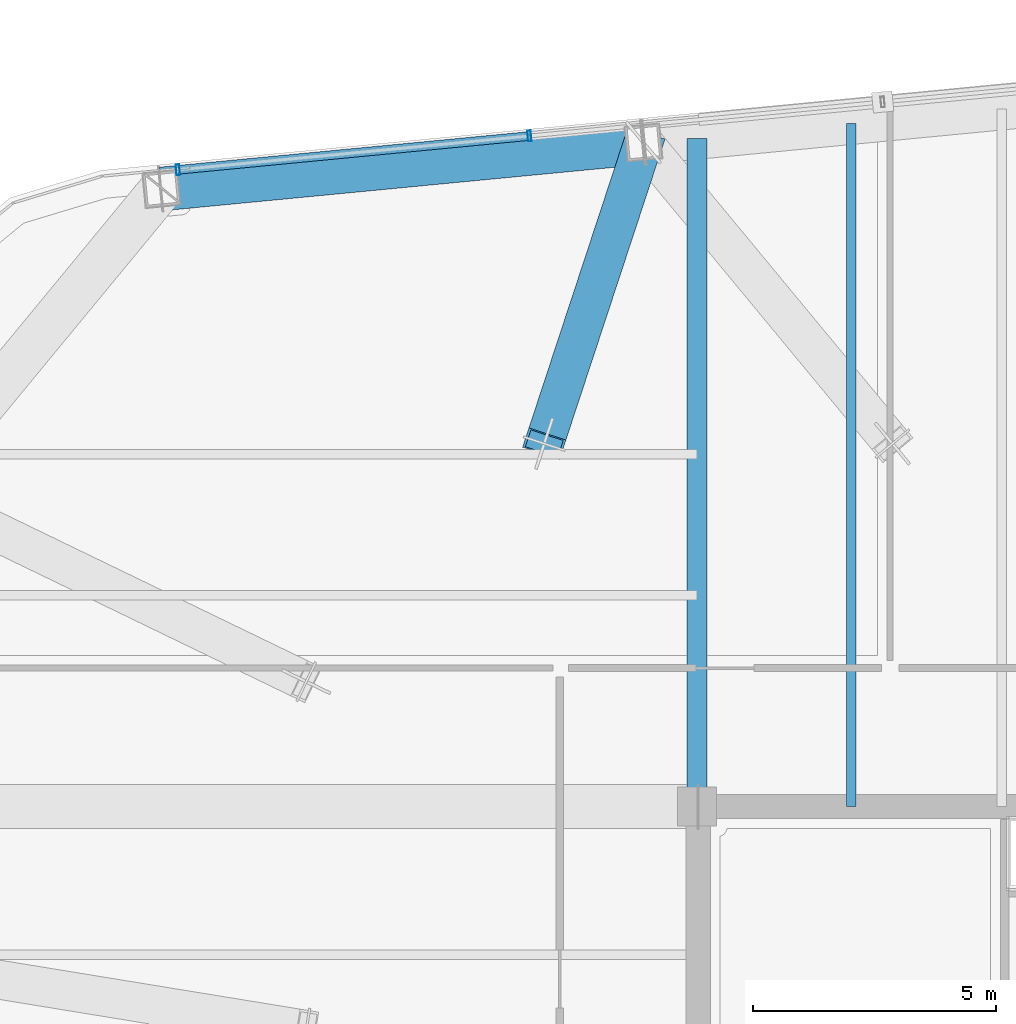
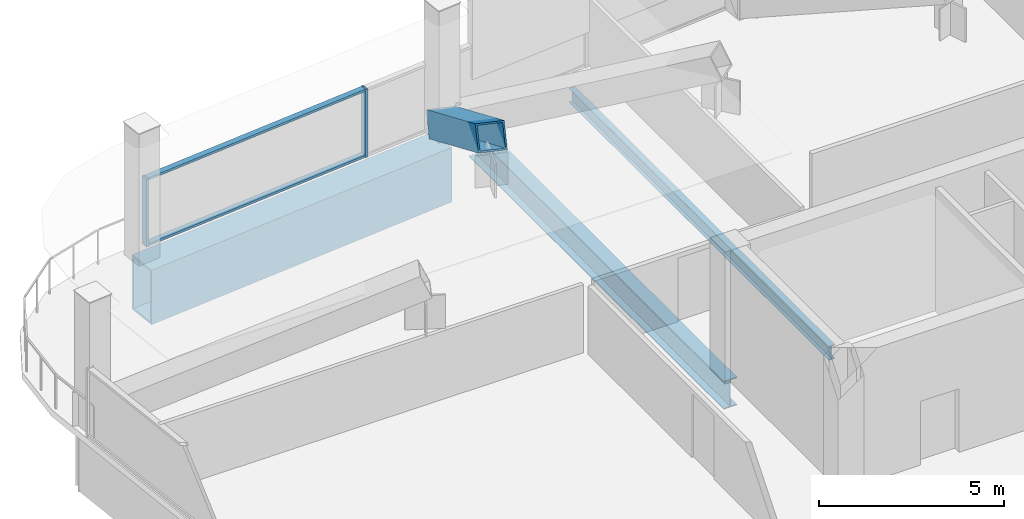
# One storey, part 11 of 22: 5 members, 3 beams, 1 element without a shape of its own.
"""IFC4 building model written with IfcOpenShell, lengths in metres."""

from ifc_helpers import new_model, si_unit, direction, frame, origin, origin_2d, place, context, subcontext, project, spatial, hollow_rectangle, i_section, extrude, material, layer, layer_set, material_profile, profile_set, type_object, element, aggregate, save


model = new_model("IFC4")

# Units and contexts
model_context = context("Model", 3, precision=1e-05, world=origin(), true_north=direction((0.0, 1.0)))
body_context = subcontext(model_context, "Body", "Model", "MODEL_VIEW")
ifc_project = project(units=[si_unit("LENGTHUNIT", "METRE"), si_unit("AREAUNIT", "SQUARE_METRE"), si_unit("VOLUMEUNIT", "CUBIC_METRE"), si_unit("PLANEANGLEUNIT", "RADIAN"), si_unit("MASSUNIT", "GRAM", prefix="KILO")], contexts=[model_context])

# Site, building, storey
site_placement = place(None, origin())
site = spatial("IfcSite", under=ifc_project, at=site_placement, CompositionType="ELEMENT")
building_placement = place(site_placement, origin())
building = spatial("IfcBuilding", under=site, at=building_placement, Name="Qhalaya Broadcast Tower", CompositionType="ELEMENT")
storey_placement = place(building_placement, frame((0.0, 0.0, 183.60009765625)))
storey = spatial("IfcBuildingStorey", under=building, at=storey_placement, Name="L54", CompositionType="ELEMENT", Elevation=183.60009765625)

# Beams
ifc_material_1 = material(Name="Structural Steel ASTM A572 Grade 50", Category="steel")
ifc_material_profile_1 = material_profile(ifc_material_1, hollow_rectangle(XDim=0.89990234375, YDim=1.800048828125, WallThickness=0.06005859375, at=origin_2d()), Name="BOX 900x1800x60")
ifc_profile_set_1 = profile_set([ifc_material_profile_1], Name="Structural Steel ASTM A572 Grade 50")
beam_type_1 = type_object("IfcBeamType", Name="Block Cantilever Transfer Box Girder TG1", PredefinedType="USERDEFINED", material=ifc_profile_set_1)
beam_1_placement = place(storey_placement, frame((-10.4794921875, 23.6171875, -1.1201171875), z_axis=(-0.995398071879, -0.095826293365, 0.0), x_axis=(0.095826293365, -0.995398071879, 0.0)))
element("IfcBeam", 1, at=beam_1_placement, inside=storey, type_object=beam_type_1, Name="L54 TG1 L54-SPR-11", ObjectType="GIRDER", PredefinedType="USERDEFINED", context=body_context, shape_type="SweptSolid", body=[
    extrude(hollow_rectangle(XDim=0.89990234375, YDim=1.800048828125, WallThickness=0.06005859375, at=origin_2d()), origin(), (0.0, 0.0, 1.0), 9.966796875),
])
ifc_material_2 = material(Name="Structural Steel ASTM A992 Grade 50", Category="steel")
ifc_material_profile_2 = material_profile(ifc_material_2, i_section(OverallWidth=0.19189453125, OverallDepth=0.462890625, WebThickness=0.010498046875, FlangeThickness=0.017578125, at=origin_2d()), Name="W18X60")
ifc_profile_set_2 = profile_set([ifc_material_profile_2], Name="Structural Steel ASTM A992 Grade 50")
beam_type_2 = type_object("IfcBeamType", Name="Composite Floor Joist J03", PredefinedType="JOIST", material=ifc_profile_set_2)
beam_2_placement = place(storey_placement, frame((-6.199951171875, 9.949951171875, -0.45166015625), z_axis=(0.0, 1.0, 0.0), x_axis=(-1.0, 0.0, 0.0)))
element("IfcBeam", 2, at=beam_2_placement, inside=storey, type_object=beam_type_2, Name="L54 J03 L54-JNN1-1", PredefinedType="JOIST", context=body_context, shape_type="SweptSolid", body=[
    extrude(i_section(OverallWidth=0.19189453125, OverallDepth=0.462890625, WebThickness=0.010498046875, FlangeThickness=0.017578125, at=origin_2d()), origin(), (0.0, 0.0, 1.0), 14.059326171875),
])
ifc_material_profile_3 = material_profile(ifc_material_2, i_section(OverallWidth=0.4189453125, OverallDepth=0.927001953125, WebThickness=0.019287109375, FlangeThickness=0.031982421875, at=origin_2d()), Name="W36X231")
ifc_profile_set_3 = profile_set([ifc_material_profile_3], Name="Structural Steel ASTM A992 Grade 50")
beam_type_3 = type_object("IfcBeamType", Name="Mid Block Primary Girder PG3", PredefinedType="USERDEFINED", material=ifc_profile_set_3)
beam_3_placement = place(storey_placement, frame((-9.375, 9.949951171875, -0.68359375), z_axis=(0.0, 1.0, 0.0), x_axis=(-1.0, 0.0, 0.0)))
element("IfcBeam", 3, at=beam_3_placement, inside=storey, type_object=beam_type_3, Name="L54 PG3 L54-PGXN1-1", ObjectType="GIRDER", PredefinedType="USERDEFINED", context=body_context, shape_type="SweptSolid", body=[
    extrude(i_section(OverallWidth=0.4189453125, OverallDepth=0.927001953125, WebThickness=0.019287109375, FlangeThickness=0.031982421875, at=origin_2d()), origin(), (0.0, 0.0, 1.0), 13.753662109375),
])

# Curtain wall, members
ifc_material_3 = material(Name="Fired Architectural Terracotta", Category="masonry")
ifc_layer = layer(ifc_material_3, 0.219970703125, Name="Fired Architectural Terracotta")
ifc_layer_set = layer_set([ifc_layer], Name="Fired Architectural Terracotta")
curtain_wall_type = type_object("IfcCurtainWallType", Name="Block-Cap Unitised Terracotta Spandrel Wall CW-07", PredefinedType="NOTDEFINED", material=ifc_layer_set)
curtain_wall_placement = place(storey_placement, origin())
curtain_wall = element("IfcCurtainWall", 4, at=curtain_wall_placement, inside=storey, type_object=curtain_wall_type, Name="L54 Unitised Curtain Wall L54-CW-N", PredefinedType="NOTDEFINED")
ifc_material_4 = material(Name="Anodised Aluminium 6063-T6", Category="aluminium")
ifc_material_profile_4 = material_profile(ifc_material_4, hollow_rectangle(XDim=0.074951171875, YDim=0.219970703125, WallThickness=0.00390625, at=origin_2d()), Name="ALU-MUL 75x220x4")
ifc_profile_set_4 = profile_set([ifc_material_profile_4], Name="Anodised Aluminium 6063-T6")
member_type_1 = type_object("IfcMemberType", Name="Unitised Curtain-Wall Mullion M01", PredefinedType="MULLION", material=ifc_profile_set_4)
member_1_placement = place(storey_placement, frame((-20.06103515625, 23.056396484375, 0.0), z_axis=(0.0, 0.0, 1.0), x_axis=(0.995396167806, 0.095846069906, 0.0)))
member_1 = element("IfcMember", 5, at=member_1_placement, type_object=member_type_1, Name="CW-07 mullion 1", PredefinedType="MULLION", context=body_context, shape_type="SweptSolid", body=[
    extrude(hollow_rectangle(XDim=0.074951171875, YDim=0.219970703125, WallThickness=0.00390625, at=origin_2d()), origin(), (0.0, 0.0, 1.0), 2.25),
])
member_2_placement = place(storey_placement, frame((-12.826171875, 23.7529296875, 0.0), z_axis=(0.0, 0.0, 1.0), x_axis=(0.995396167806, 0.095846069906, 0.0)))
member_2 = element("IfcMember", 6, at=member_2_placement, type_object=member_type_1, Name="CW-07 mullion 2", PredefinedType="MULLION", context=body_context, shape_type="SweptSolid", body=[
    extrude(hollow_rectangle(XDim=0.074951171875, YDim=0.219970703125, WallThickness=0.00390625, at=origin_2d()), origin(), (0.0, 0.0, 1.0), 2.25),
])
ifc_material_profile_5 = material_profile(ifc_material_4, hollow_rectangle(XDim=0.074951171875, YDim=0.179931640625, WallThickness=0.00390625, at=origin_2d()), Name="ALU-TRN 75x180x4")
ifc_profile_set_5 = profile_set([ifc_material_profile_5], Name="Anodised Aluminium 6063-T6")
member_type_2 = type_object("IfcMemberType", Name="Unitised Curtain-Wall Transom T01", PredefinedType="USERDEFINED", material=ifc_profile_set_5)
member_3_placement = place(storey_placement, frame((-20.023681640625, 23.06005859375, 0.037353515625), z_axis=(0.99539639748, 0.095843684629, 0.0), x_axis=(0.0, 0.0, 1.0)))
member_3 = element("IfcMember", 7, at=member_3_placement, type_object=member_type_2, Name="CW-07 transom 1.1", ObjectType="TRANSOM", PredefinedType="USERDEFINED", context=body_context, shape_type="SweptSolid", body=[
    extrude(hollow_rectangle(XDim=0.074951171875, YDim=0.179931640625, WallThickness=0.00390625, at=origin_2d()), origin(), (0.0, 0.0, 1.0), 7.193603515625),
])
member_4_placement = place(storey_placement, frame((-20.023681640625, 23.06005859375, 2.21240234375), z_axis=(0.99539639748, 0.095843684629, 0.0), x_axis=(0.0, 0.0, 1.0)))
member_4 = element("IfcMember", 8, at=member_4_placement, type_object=member_type_2, Name="CW-07 transom 1.2", ObjectType="TRANSOM", PredefinedType="USERDEFINED", context=body_context, shape_type="SweptSolid", body=[
    extrude(hollow_rectangle(XDim=0.074951171875, YDim=0.179931640625, WallThickness=0.00390625, at=origin_2d()), origin(), (0.0, 0.0, 1.0), 7.193603515625),
])
aggregate(curtain_wall, [member_1, member_2, member_3, member_4])

# Member
ifc_material_profile_6 = material_profile(ifc_material_1, hollow_rectangle(XDim=0.800048828125, YDim=0.800048828125, WallThickness=0.050048828125, at=origin_2d()), Name="BOX 800x800x50")
ifc_profile_set_6 = profile_set([ifc_material_profile_6], Name="Structural Steel ASTM A572 Grade 50")
member_type_3 = type_object("IfcMemberType", Name="Upper Exoskeleton Transfer Strut RK2", PredefinedType="BRACE", material=ifc_profile_set_6)
member_5_placement = place(storey_placement, frame((-10.4794921875, 23.6171875, 0.350830078125), z_axis=(-0.266645534365, -0.809826542752, 0.522571650263), x_axis=(0.949836895954, -0.312745697147, 0.0)))
element("IfcMember", 9, at=member_5_placement, inside=storey, type_object=member_type_3, Name="L54 Inclined Exoskeleton Transfer Strut 12", PredefinedType="BRACE", context=body_context, shape_type="SweptSolid", body=[
    extrude(hollow_rectangle(XDim=0.800048828125, YDim=0.800048828125, WallThickness=0.050048828125, at=origin_2d()), origin(), (0.0, 0.0, 1.0), 7.652587890625),
])

save(model, "model.ifc")
